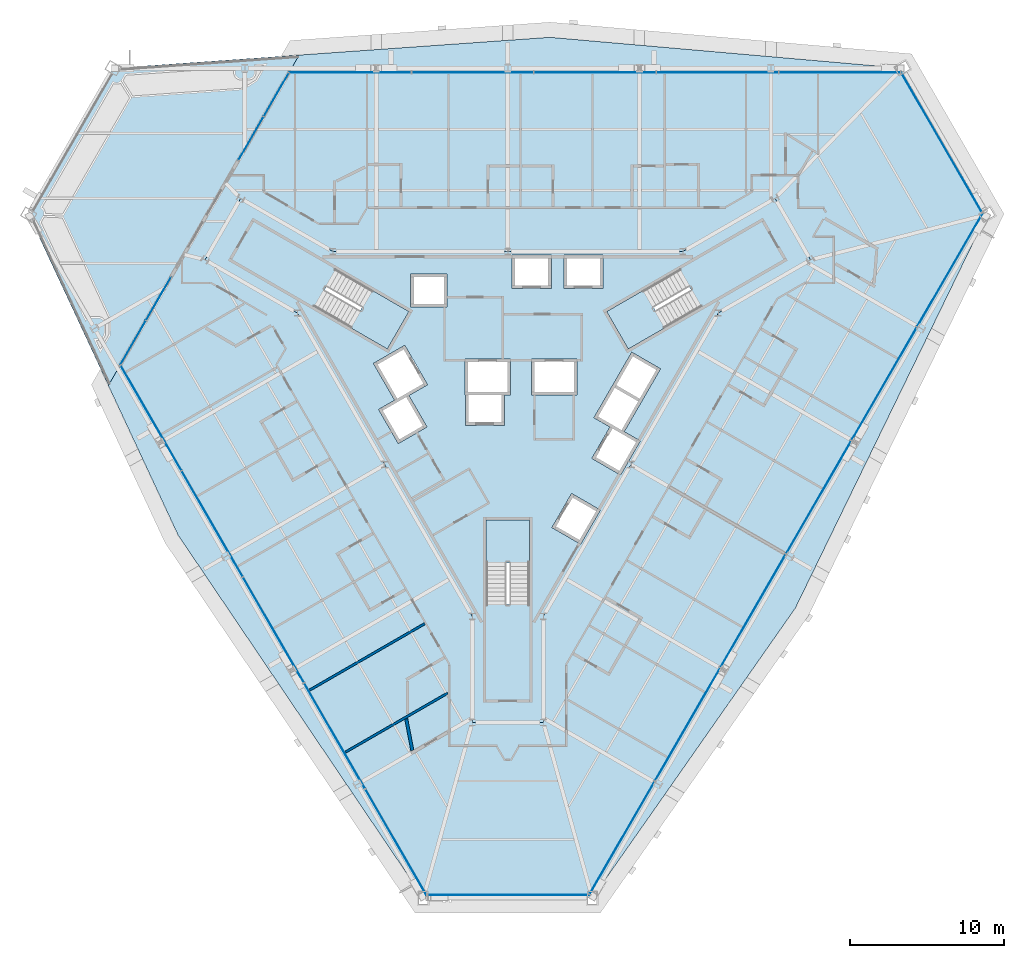
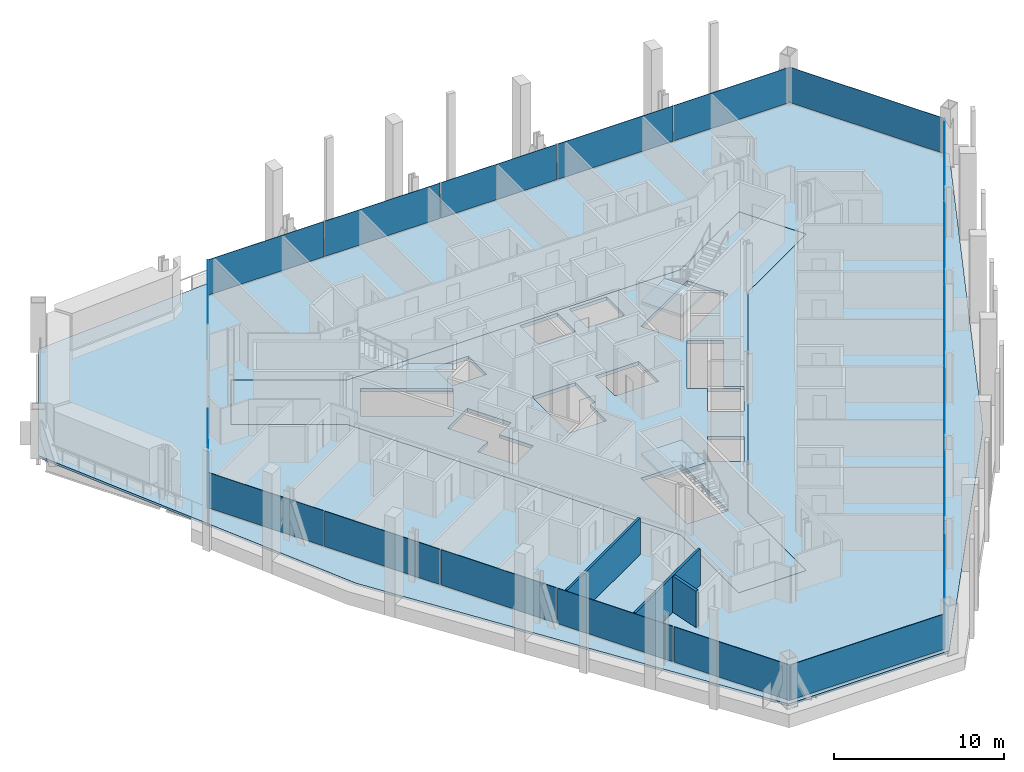
# One storey, part 10 of 19: 22 plates, 6 slabs, 3 walls, 10 elements without a shape of their own.
"""IFC4 building model written with IfcOpenShell, lengths in metres."""

from ifc_helpers import new_model, si_unit, direction, frame, frame_2d, origin, origin_2d, place, context, subcontext, project, spatial, polyline, rectangle, outline, extrude, material, layer, layer_set, type_object, element, aggregate, save


model = new_model("IFC4")

# Units and contexts
model_context = context("Model", 3, precision=1e-05, world=origin(), true_north=direction((0.0, 1.0)))
body_context = subcontext(model_context, "Body", "Model", "MODEL_VIEW")
ifc_project = project(units=[si_unit("LENGTHUNIT", "METRE"), si_unit("AREAUNIT", "SQUARE_METRE"), si_unit("VOLUMEUNIT", "CUBIC_METRE"), si_unit("PLANEANGLEUNIT", "RADIAN"), si_unit("MASSUNIT", "GRAM", prefix="KILO")], contexts=[model_context])

# Site, building, storey
site_placement = place(None, origin())
site = spatial("IfcSite", under=ifc_project, at=site_placement, CompositionType="ELEMENT")
building_placement = place(site_placement, origin())
building = spatial("IfcBuilding", under=site, at=building_placement, Name="Verrane Prism Tower", CompositionType="ELEMENT")
storey_placement = place(building_placement, frame((0.0, 0.0, 58.39990234375)))
storey = spatial("IfcBuildingStorey", under=building, at=storey_placement, Name="L12", CompositionType="ELEMENT", Elevation=58.39990234375)

# Slabs
ifc_material_1 = material(Name="Concrete C35/45", Category="concrete")
ifc_layer_1 = layer(ifc_material_1, 0.159912109375)
ifc_layer_set_1 = layer_set([ifc_layer_1], Name="Composite floor slab")
slab_type_1 = type_object("IfcSlabType", Name="Composite floor slab", PredefinedType="FLOOR", material=ifc_layer_set_1)
slab_1_placement = place(storey_placement, frame((0.0, 0.0, -0.159912109375)))
element("IfcSlab", 1, at=slab_1_placement, inside=storey, type_object=slab_type_1, Name="Floor slab L12", PredefinedType="FLOOR", context=body_context, shape_type="SweptSolid", body=[
    extrude(outline(polyline([(2.72509765625, 23.070068359375), (25.54833984375, 21.070068359375), (31.021240234375, 11.590576171875), (18.61669921875, -13.89501953125), (5.472900390625, -32.660400390625), (-5.472900390625, -32.660400390625), (-21.341796875, -9.1748046875), (-25.863037109375, 0.524658203125), (-13.509765625, 21.921630859375), (2.72509765625, 23.070068359375)]), holes=[polyline([(19.60009765625, 8.659912109375), (17.300048828125, 12.639892578125), (11.330078125, 9.199951171875), (0.0, 9.199951171875), (-11.330078125, 9.199951171875), (-17.300048828125, 12.639892578125), (-19.60009765625, 8.659912109375), (-13.6298828125, 5.219970703125), (-7.969970703125, -4.60009765625), (-2.300048828125, -14.419921875), (-2.300048828125, -21.300048828125), (2.300048828125, -21.300048828125), (2.300048828125, -14.419921875), (7.969970703125, -4.60009765625), (13.6298828125, 5.219970703125), (19.60009765625, 8.659912109375)])]), origin(), (0.0, 0.0, 1.0), 0.159912109375),
])
ifc_material_2 = material(Name="Concrete C40/50", Category="concrete")
ifc_layer_2 = layer(ifc_material_2, 0.25)
ifc_layer_set_2 = layer_set([ifc_layer_2], Name="Core floor slab 250 concrete C40/50")
slab_type_2 = type_object("IfcSlabType", Name="Core floor slab 250 concrete C40/50", PredefinedType="FLOOR", material=ifc_layer_set_2)
slab_2_placement = place(storey_placement, frame((0.0, 0.0, -0.25)))
element("IfcSlab", 2, at=slab_2_placement, inside=storey, type_object=slab_type_2, Name="Core floor L12", PredefinedType="FLOOR", context=body_context, shape_type="SweptSolid", body=[
    extrude(outline(polyline([(13.6298828125, 5.219970703125), (19.60009765625, 8.659912109375), (17.300048828125, 12.639892578125), (11.330078125, 9.199951171875), (0.0, 9.199951171875), (-11.330078125, 9.199951171875), (-17.300048828125, 12.639892578125), (-19.60009765625, 8.659912109375), (-13.6298828125, 5.219970703125), (-7.969970703125, -4.60009765625), (-2.300048828125, -14.419921875), (-2.300048828125, -21.300048828125), (2.300048828125, -21.300048828125), (2.300048828125, -14.419921875), (7.969970703125, -4.60009765625), (13.6298828125, 5.219970703125)]), holes=[polyline([(1.39990234375, -8.199951171875), (1.39990234375, -13.639892578125), (-1.39990234375, -13.639892578125), (-1.39990234375, -8.199951171875), (1.39990234375, -8.199951171875)]), polyline([(0.1650390625, 2.25), (0.1650390625, -0.10009765625), (-0.205078125, -0.10009765625), (-0.205078125, -2.050048828125), (-2.7548828125, -2.050048828125), (-2.7548828125, -0.10009765625), (-2.784912109375, -0.10009765625), (-2.784912109375, 2.25), (0.1650390625, 2.25)]), polyline([(-7.801025390625, 2.887939453125), (-12.512939453125, 5.60791015625), (-11.113037109375, 8.031982421875), (-6.40087890625, 5.31201171875), (-7.801025390625, 2.887939453125)]), polyline([(-6.284912109375, 5.610107421875), (-6.284912109375, 7.760009765625), (-3.93505859375, 7.760009765625), (-3.93505859375, 5.610107421875), (-6.284912109375, 5.610107421875)]), polyline([(2.81494140625, 6.81005859375), (0.264892578125, 6.81005859375), (0.264892578125, 8.9599609375), (2.81494140625, 8.9599609375), (2.81494140625, 6.81005859375)]), polyline([(4.717041015625, -9.75), (2.85498046875, -8.675048828125), (4.1298828125, -6.466064453125), (5.991943359375, -7.541015625), (4.717041015625, -9.75)]), polyline([(8.303955078125, -3.136962890625), (5.575927734375, -1.56201171875), (8.02587890625, 2.680908203125), (9.887939453125, 1.60595703125), (7.5380859375, -2.464111328125), (8.576904296875, -3.06396484375), (7.302001953125, -5.27197265625), (5.43994140625, -4.197021484375), (6.614990234375, -2.162109375), (8.303955078125, -3.136962890625)]), polyline([(1.52490234375, -0.10009765625), (1.52490234375, 2.25), (4.47509765625, 2.25), (4.47509765625, -0.10009765625), (1.52490234375, -0.10009765625)]), polyline([(11.113037109375, 8.031982421875), (12.512939453125, 5.60791015625), (7.801025390625, 2.887939453125), (6.40087890625, 5.31201171875), (11.113037109375, 8.031982421875)]), polyline([(3.625, 6.81005859375), (3.625, 8.9599609375), (6.175048828125, 8.9599609375), (6.175048828125, 6.81005859375), (3.625, 6.81005859375)]), polyline([(-5.23095703125, -2.159912109375), (-7.093017578125, -3.235107421875), (-8.367919921875, -1.02587890625), (-7.3291015625, -0.426025390625), (-8.7041015625, 1.955078125), (-6.66796875, 3.1298828125), (-5.193115234375, 0.574951171875), (-6.406005859375, -0.125), (-5.23095703125, -2.159912109375)])]), origin(), (0.0, 0.0, 1.0), 0.25),
])
ifc_material_3 = material(Name="Concrete C35/45", Category="concrete")
ifc_layer_3 = layer(ifc_material_3, 0.159912109375)
ifc_layer_set_3 = layer_set([ifc_layer_3], Name="Garden floor slab")
slab_type_3 = type_object("IfcSlabType", Name="Garden floor slab", PredefinedType="FLOOR", material=ifc_layer_set_3)
slab_3_placement = place(storey_placement, frame((0.0, 0.0, -0.159912109375)))
element("IfcSlab", 3, at=slab_3_placement, inside=storey, type_object=slab_type_3, Name="Garden floor slab L12", PredefinedType="FLOOR", context=body_context, shape_type="SweptSolid", body=[
    extrude(outline(polyline([(-25.863037109375, 0.524658203125), (-13.509765625, 21.921630859375), (-25.54833984375, 21.070068359375), (-31.021240234375, 11.590576171875), (-25.863037109375, 0.524658203125)])), origin(), (0.0, 0.0, 1.0), 0.159912109375),
])

# Curtain wall, plates
ifc_material_4 = material(Name="Aluminium framed insulated glazing", Category="aluminium")
curtain_wall_type_1 = type_object("IfcCurtainWallType", Name="Curtain wall CW-C 4200 module", PredefinedType="NOTDEFINED", material=ifc_material_4)
curtain_wall_1_placement = place(storey_placement, origin())
curtain_wall_1 = element("IfcCurtainWall", 4, at=curtain_wall_1_placement, inside=storey, type_object=curtain_wall_type_1, Name="Glazed curtain wall garden cut line L12 1", PredefinedType="NOTDEFINED")
ifc_material_5 = material(Name="Low-iron insulating glass unit", Category="glass")
ifc_layer_4 = layer(ifc_material_5, 0.02392578125)
ifc_layer_set_4 = layer_set([ifc_layer_4], Name="Glazing panel IGU 24")
plate_type_1 = type_object("IfcPlateType", Name="Glazing panel IGU 24", PredefinedType="CURTAIN_PANEL", material=ifc_layer_set_4)
plate_1_placement = place(storey_placement, frame((-14.992919921875, 19.3525390625, 0.050048828125), z_axis=(0.0, 0.0, 1.0), x_axis=(-0.500001176868, -0.866024724318, 0.0)))
plate_1 = element("IfcPlate", 5, at=plate_1_placement, type_object=plate_type_1, Name="CW12.3.1 panel 1", PredefinedType="CURTAIN_PANEL", context=body_context, shape_type="SweptSolid", body=[
    extrude(rectangle(XDim=3.22216796875, YDim=0.02392578125, at=origin_2d()), origin(), (0.0, 0.0, 1.0), 2.56298828125),
])
plate_2_placement = place(storey_placement, frame((-16.629150390625, 16.5185546875, 0.050048828125), z_axis=(0.0, 0.0, 1.0), x_axis=(-0.500001176868, -0.866024724318, 0.0)))
plate_2 = element("IfcPlate", 6, at=plate_2_placement, type_object=plate_type_1, Name="CW12.3.1 panel 2", PredefinedType="CURTAIN_PANEL", context=body_context, shape_type="SweptSolid", body=[
    extrude(rectangle(XDim=3.22216796875, YDim=0.02392578125, at=origin_2d()), origin(), (0.0, 0.0, 1.0), 2.56298828125),
])
aggregate(curtain_wall_1, [plate_1, plate_2])

curtain_wall_2_placement = place(storey_placement, origin())
curtain_wall_2 = element("IfcCurtainWall", 7, at=curtain_wall_2_placement, inside=storey, type_object=curtain_wall_type_1, Name="Glazed curtain wall garden cut line L12 2", PredefinedType="NOTDEFINED")
plate_3_placement = place(storey_placement, frame((-22.6201171875, 6.141845703125, 0.050048828125), z_axis=(0.0, 0.0, 1.0), x_axis=(-0.500001176868, -0.866024724318, 0.0)))
plate_3 = element("IfcPlate", 8, at=plate_3_placement, type_object=plate_type_1, Name="CW12.3.2 panel 1", PredefinedType="CURTAIN_PANEL", context=body_context, shape_type="SweptSolid", body=[
    extrude(rectangle(XDim=3.22216796875, YDim=0.02392578125, at=origin_2d()), origin(), (0.0, 0.0, 1.0), 2.56298828125),
])
plate_4_placement = place(storey_placement, frame((-24.2685546875, 3.286376953125, 0.050048828125), z_axis=(0.0, 0.0, 1.0), x_axis=(-0.500001176868, -0.866024724318, 0.0)))
plate_4 = element("IfcPlate", 9, at=plate_4_placement, type_object=plate_type_1, Name="CW12.3.2 panel 2", PredefinedType="CURTAIN_PANEL", context=body_context, shape_type="SweptSolid", body=[
    extrude(rectangle(XDim=3.272216796875, YDim=0.02392578125, at=origin_2d()), origin(), (0.0, 0.0, 1.0), 2.56298828125),
])
aggregate(curtain_wall_2, [plate_3, plate_4])

# Curtain wall, plate
ifc_material_6 = material(Name="Aluminium framed insulated glazing", Category="aluminium")
curtain_wall_type_2 = type_object("IfcCurtainWallType", Name="Curtain wall CW-A 8400 module", PredefinedType="NOTDEFINED", material=ifc_material_6)
curtain_wall_3_placement = place(storey_placement, origin())
curtain_wall_3 = element("IfcCurtainWall", 10, at=curtain_wall_3_placement, inside=storey, type_object=curtain_wall_type_2, Name="Glazed curtain wall north-east corner L12", PredefinedType="NOTDEFINED")
ifc_material_7 = material(Name="Low-iron insulating glass unit", Category="glass")
ifc_layer_5 = layer(ifc_material_7, 0.031982421875)
ifc_layer_set_5 = layer_set([ifc_layer_5], Name="Glazing panel IGU 32")
plate_type_2 = type_object("IfcPlateType", Name="Glazing panel IGU 32", PredefinedType="CURTAIN_PANEL", material=ifc_layer_set_5)
plate_5_placement = place(storey_placement, frame((28.091552734375, 16.25927734375, 0.070068359375), z_axis=(0.0, 0.0, 1.0), x_axis=(-0.499998785495, 0.866026104978, 0.0)))
plate_5 = element("IfcPlate", 11, at=plate_5_placement, type_object=plate_type_2, Name="CW12.1 panel 1", PredefinedType="CURTAIN_PANEL", context=body_context, shape_type="SweptSolid", body=[
    extrude(rectangle(XDim=10.4658203125, YDim=0.031982421875, at=origin_2d()), origin(), (0.0, 0.0, 1.0), 2.54296875),
])
aggregate(curtain_wall_3, [plate_5])

# Curtain wall, plates
curtain_wall_4_placement = place(storey_placement, origin())
curtain_wall_4 = element("IfcCurtainWall", 12, at=curtain_wall_4_placement, inside=storey, type_object=curtain_wall_type_2, Name="Glazed curtain wall north face L12", PredefinedType="NOTDEFINED")
plate_6_placement = place(storey_placement, frame((21.493896484375, 20.791015625, 0.070068359375), z_axis=(0.0, 0.0, 1.0), x_axis=(-1.0, 0.0, 0.0)))
plate_6 = element("IfcPlate", 13, at=plate_6_placement, type_object=plate_type_2, Name="CW12.2 panel 1", PredefinedType="CURTAIN_PANEL", context=body_context, shape_type="SweptSolid", body=[
    extrude(rectangle(XDim=7.822509765625, YDim=0.031982421875, at=origin_2d()), origin(), (0.0, 0.0, 1.0), 2.54296875),
])
plate_7_placement = place(storey_placement, frame((13.583984375, 20.791015625, 0.070068359375), z_axis=(0.0, 0.0, 1.0), x_axis=(-1.0, 0.0, 0.0)))
plate_7 = element("IfcPlate", 14, at=plate_7_placement, type_object=plate_type_2, Name="CW12.2 panel 2", PredefinedType="CURTAIN_PANEL", context=body_context, shape_type="SweptSolid", body=[
    extrude(rectangle(XDim=7.857421875, YDim=0.031982421875, at=origin_2d()), origin(), (0.0, 0.0, 1.0), 2.54296875),
])
plate_8_placement = place(storey_placement, frame((5.656494140625, 20.791015625, 0.070068359375), z_axis=(0.0, 0.0, 1.0), x_axis=(-1.0, 0.0, 0.0)))
plate_8 = element("IfcPlate", 15, at=plate_8_placement, type_object=plate_type_2, Name="CW12.2 panel 3", PredefinedType="CURTAIN_PANEL", context=body_context, shape_type="SweptSolid", body=[
    extrude(rectangle(XDim=7.857421875, YDim=0.031982421875, at=origin_2d()), origin(), (0.0, 0.0, 1.0), 2.54296875),
])
plate_9_placement = place(storey_placement, frame((-2.271240234375, 20.791015625, 0.070068359375), z_axis=(0.0, 0.0, 1.0), x_axis=(-1.0, 0.0, 0.0)))
plate_9 = element("IfcPlate", 16, at=plate_9_placement, type_object=plate_type_2, Name="CW12.2 panel 4", PredefinedType="CURTAIN_PANEL", context=body_context, shape_type="SweptSolid", body=[
    extrude(rectangle(XDim=7.857421875, YDim=0.031982421875, at=origin_2d()), origin(), (0.0, 0.0, 1.0), 2.54296875),
])
plate_10_placement = place(storey_placement, frame((-10.216064453125, 20.791015625, 0.070068359375), z_axis=(0.0, 0.0, 1.0), x_axis=(-1.0, 0.0, 0.0)))
plate_10 = element("IfcPlate", 17, at=plate_10_placement, type_object=plate_type_2, Name="CW12.2 panel 5", PredefinedType="CURTAIN_PANEL", context=body_context, shape_type="SweptSolid", body=[
    extrude(rectangle(XDim=7.892578125, YDim=0.031982421875, at=origin_2d()), origin(), (0.0, 0.0, 1.0), 2.54296875),
])
aggregate(curtain_wall_4, [plate_6, plate_7, plate_8, plate_9, plate_10])

curtain_wall_5_placement = place(storey_placement, origin())
curtain_wall_5 = element("IfcCurtainWall", 18, at=curtain_wall_5_placement, inside=storey, type_object=curtain_wall_type_2, Name="Glazed curtain wall south-west face L12", PredefinedType="NOTDEFINED")
plate_11_placement = place(storey_placement, frame((-23.09619140625, -1.578369140625, 0.070068359375), z_axis=(0.0, 0.0, 1.0), x_axis=(0.499999656376, -0.866025602176, 0.0)))
plate_11 = element("IfcPlate", 19, at=plate_11_placement, type_object=plate_type_2, Name="CW12.4 panel 1", PredefinedType="CURTAIN_PANEL", context=body_context, shape_type="SweptSolid", body=[
    extrude(rectangle(XDim=7.822509765625, YDim=0.031982421875, at=origin_2d()), origin(), (0.0, 0.0, 1.0), 2.54296875),
])
plate_12_placement = place(storey_placement, frame((-19.14111328125, -8.4287109375, 0.070068359375), z_axis=(0.0, 0.0, 1.0), x_axis=(0.499999656376, -0.866025602176, 0.0)))
plate_12 = element("IfcPlate", 20, at=plate_12_placement, type_object=plate_type_2, Name="CW12.4 panel 2", PredefinedType="CURTAIN_PANEL", context=body_context, shape_type="SweptSolid", body=[
    extrude(rectangle(XDim=7.857421875, YDim=0.031982421875, at=origin_2d()), origin(), (0.0, 0.0, 1.0), 2.54296875),
])
plate_13_placement = place(storey_placement, frame((-15.17724609375, -15.294189453125, 0.070068359375), z_axis=(0.0, 0.0, 1.0), x_axis=(0.499999656376, -0.866025602176, 0.0)))
plate_13 = element("IfcPlate", 21, at=plate_13_placement, type_object=plate_type_2, Name="CW12.4 panel 3", PredefinedType="CURTAIN_PANEL", context=body_context, shape_type="SweptSolid", body=[
    extrude(rectangle(XDim=7.857421875, YDim=0.031982421875, at=origin_2d()), origin(), (0.0, 0.0, 1.0), 2.54296875),
])
plate_14_placement = place(storey_placement, frame((-11.213623046875, -22.159423828125, 0.070068359375), z_axis=(0.0, 0.0, 1.0), x_axis=(0.499999656376, -0.866025602176, 0.0)))
plate_14 = element("IfcPlate", 22, at=plate_14_placement, type_object=plate_type_2, Name="CW12.4 panel 4", PredefinedType="CURTAIN_PANEL", context=body_context, shape_type="SweptSolid", body=[
    extrude(rectangle(XDim=7.857421875, YDim=0.031982421875, at=origin_2d()), origin(), (0.0, 0.0, 1.0), 2.54296875),
])
plate_15_placement = place(storey_placement, frame((-7.240966796875, -29.0400390625, 0.070068359375), z_axis=(0.0, 0.0, 1.0), x_axis=(0.499999656376, -0.866025602176, 0.0)))
plate_15 = element("IfcPlate", 23, at=plate_15_placement, type_object=plate_type_2, Name="CW12.4 panel 5", PredefinedType="CURTAIN_PANEL", context=body_context, shape_type="SweptSolid", body=[
    extrude(rectangle(XDim=7.892578125, YDim=0.031982421875, at=origin_2d()), origin(), (0.0, 0.0, 1.0), 2.54296875),
])
aggregate(curtain_wall_5, [plate_11, plate_12, plate_13, plate_14, plate_15])

# Curtain wall, plate
curtain_wall_6_placement = place(storey_placement, origin())
curtain_wall_6 = element("IfcCurtainWall", 24, at=curtain_wall_6_placement, inside=storey, type_object=curtain_wall_type_2, Name="Glazed curtain wall south corner L12", PredefinedType="NOTDEFINED")
plate_16_placement = place(storey_placement, frame((0.034912109375, -32.457763671875, 0.070068359375), z_axis=(0.0, 0.0, 1.0), x_axis=(1.0, 0.0, 0.0)))
plate_16 = element("IfcPlate", 25, at=plate_16_placement, type_object=plate_type_2, Name="CW12.5 panel 1", PredefinedType="CURTAIN_PANEL", context=body_context, shape_type="SweptSolid", body=[
    extrude(rectangle(XDim=10.4658203125, YDim=0.031982421875, at=origin_2d()), origin(), (0.0, 0.0, 1.0), 2.54296875),
])
aggregate(curtain_wall_6, [plate_16])

# Curtain wall, plates
curtain_wall_7_placement = place(storey_placement, origin())
curtain_wall_7 = element("IfcCurtainWall", 26, at=curtain_wall_7_placement, inside=storey, type_object=curtain_wall_type_2, Name="Glazed curtain wall south-east face L12", PredefinedType="NOTDEFINED")
plate_17_placement = place(storey_placement, frame((7.399658203125, -28.765625, 0.070068359375), z_axis=(0.0, 0.0, 1.0), x_axis=(0.499999496308, 0.866025694591, 0.0)))
plate_17 = element("IfcPlate", 27, at=plate_17_placement, type_object=plate_type_2, Name="CW12.6 panel 1", PredefinedType="CURTAIN_PANEL", context=body_context, shape_type="SweptSolid", body=[
    extrude(rectangle(XDim=8.38671875, YDim=0.031982421875, at=origin_2d()), origin(), (0.0, 0.0, 1.0), 2.54296875),
])
plate_18_placement = place(storey_placement, frame((11.63671875, -21.426513671875, 0.070068359375), z_axis=(0.0, 0.0, 1.0), x_axis=(0.499999496308, 0.866025694591, 0.0)))
plate_18 = element("IfcPlate", 28, at=plate_18_placement, type_object=plate_type_2, Name="CW12.6 panel 2", PredefinedType="CURTAIN_PANEL", context=body_context, shape_type="SweptSolid", body=[
    extrude(rectangle(XDim=8.421630859375, YDim=0.031982421875, at=origin_2d()), origin(), (0.0, 0.0, 1.0), 2.54296875),
])
plate_19_placement = place(storey_placement, frame((15.882568359375, -14.072509765625, 0.070068359375), z_axis=(0.0, 0.0, 1.0), x_axis=(0.499999496308, 0.866025694591, 0.0)))
plate_19 = element("IfcPlate", 29, at=plate_19_placement, type_object=plate_type_2, Name="CW12.6 panel 3", PredefinedType="CURTAIN_PANEL", context=body_context, shape_type="SweptSolid", body=[
    extrude(rectangle(XDim=8.421630859375, YDim=0.031982421875, at=origin_2d()), origin(), (0.0, 0.0, 1.0), 2.54296875),
])
plate_20_placement = place(storey_placement, frame((20.12841796875, -6.718505859375, 0.070068359375), z_axis=(0.0, 0.0, 1.0), x_axis=(0.499999496308, 0.866025694591, 0.0)))
plate_20 = element("IfcPlate", 30, at=plate_20_placement, type_object=plate_type_2, Name="CW12.6 panel 4", PredefinedType="CURTAIN_PANEL", context=body_context, shape_type="SweptSolid", body=[
    extrude(rectangle(XDim=8.421630859375, YDim=0.031982421875, at=origin_2d()), origin(), (0.0, 0.0, 1.0), 2.54296875),
])
plate_21_placement = place(storey_placement, frame((24.374267578125, 0.635498046875, 0.070068359375), z_axis=(0.0, 0.0, 1.0), x_axis=(0.499999496308, 0.866025694591, 0.0)))
plate_21 = element("IfcPlate", 31, at=plate_21_placement, type_object=plate_type_2, Name="CW12.6 panel 5", PredefinedType="CURTAIN_PANEL", context=body_context, shape_type="SweptSolid", body=[
    extrude(rectangle(XDim=8.421630859375, YDim=0.031982421875, at=origin_2d()), origin(), (0.0, 0.0, 1.0), 2.54296875),
])
plate_22_placement = place(storey_placement, frame((28.62890625, 8.0048828125, 0.070068359375), z_axis=(0.0, 0.0, 1.0), x_axis=(0.499999496308, 0.866025694591, 0.0)))
plate_22 = element("IfcPlate", 32, at=plate_22_placement, type_object=plate_type_2, Name="CW12.6 panel 6", PredefinedType="CURTAIN_PANEL", context=body_context, shape_type="SweptSolid", body=[
    extrude(rectangle(XDim=8.456787109375, YDim=0.031982421875, at=origin_2d()), origin(), (0.0, 0.0, 1.0), 2.54296875),
])
aggregate(curtain_wall_7, [plate_17, plate_18, plate_19, plate_20, plate_21, plate_22])

# Stair, slab
ifc_material_8 = material(Name="Concrete C40/50", Category="concrete")
stair_type = type_object("IfcStairType", Name="Exit stair 1300 dog-leg precast concrete C40/50", PredefinedType="HALF_TURN_STAIR", material=ifc_material_8)
stair_1_placement = place(storey_placement, origin())
stair_1 = element("IfcStair", 33, at=stair_1_placement, inside=storey, type_object=stair_type, Name="Stair 1 L12", PredefinedType="HALF_TURN_STAIR")
ifc_material_9 = material(Name="Concrete C40/50", Category="concrete")
ifc_layer_6 = layer(ifc_material_9, 0.199951171875)
ifc_layer_set_6 = layer_set([ifc_layer_6], Name="Stair landing 200 precast concrete C40/50")
slab_type_4 = type_object("IfcSlabType", Name="Stair landing 200 precast concrete C40/50", PredefinedType="LANDING", material=ifc_layer_set_6)
slab_4_placement = place(storey_placement, frame((0.0, 0.0, 1.60009765625)))
slab_4 = element("IfcSlab", 34, at=slab_4_placement, type_object=slab_type_4, Name="Stair 1 landing 1", PredefinedType="LANDING", context=body_context, shape_type="SweptSolid", body=[
    extrude(outline(polyline([(8.791748046875, 6.6923828125), (6.4013671875, 5.3125), (7.801513671875, 2.887451171875), (10.191650390625, 4.267578125), (8.791748046875, 6.6923828125)])), origin(), (0.0, 0.0, 1.0), 0.199951171875),
])
aggregate(stair_1, [slab_4])

stair_2_placement = place(storey_placement, origin())
stair_2 = element("IfcStair", 35, at=stair_2_placement, inside=storey, type_object=stair_type, Name="Stair 2 L12", PredefinedType="HALF_TURN_STAIR")
slab_5_placement = place(storey_placement, frame((0.0, 0.0, 1.60009765625)))
slab_5 = element("IfcSlab", 36, at=slab_5_placement, type_object=slab_type_4, Name="Stair 2 landing 1", PredefinedType="LANDING", context=body_context, shape_type="SweptSolid", body=[
    extrude(outline(polyline([(-10.191650390625, 4.267578125), (-7.801513671875, 2.887451171875), (-6.4013671875, 5.3125), (-8.791748046875, 6.6923828125), (-10.191650390625, 4.267578125)])), origin(), (0.0, 0.0, 1.0), 0.199951171875),
])
aggregate(stair_2, [slab_5])

stair_3_placement = place(storey_placement, origin())
stair_3 = element("IfcStair", 37, at=stair_3_placement, inside=storey, type_object=stair_type, Name="Stair 3 L12", PredefinedType="HALF_TURN_STAIR")
slab_6_placement = place(storey_placement, frame((0.0, 0.0, 1.60009765625)))
slab_6 = element("IfcSlab", 38, at=slab_6_placement, type_object=slab_type_4, Name="Stair 3 landing 1", PredefinedType="LANDING", context=body_context, shape_type="SweptSolid", body=[
    extrude(outline(polyline([(1.39990234375, -10.9599609375), (1.39990234375, -8.199951171875), (-1.39990234375, -8.199951171875), (-1.39990234375, -10.9599609375), (1.39990234375, -10.9599609375)])), origin(), (0.0, 0.0, 1.0), 0.199951171875),
])
aggregate(stair_3, [slab_6])

# Walls
ifc_material_10 = material(Name="Gypsum board partition", Category="other")
ifc_layer_7 = layer(ifc_material_10, 0.14990234375)
ifc_layer_set_7 = layer_set([ifc_layer_7], Name="PW-150 demising wall 1 h")
wall_type_1 = type_object("IfcWallType", Name="PW-150 demising wall 1 h", PredefinedType="PARTITIONING", material=ifc_layer_set_7)
wall_1_placement = place(storey_placement, frame((-12.81640625, -19.190673828125, 0.0), z_axis=(0.0, 0.0, 1.0), x_axis=(0.866034625887, 0.499984026509, 0.0)))
element("IfcWall", 39, at=wall_1_placement, inside=storey, type_object=wall_type_1, Name="Demising wall 022", PredefinedType="PARTITIONING", context=body_context, shape_type="SweptSolid", body=[
    extrude(rectangle(XDim=8.591064453125, YDim=0.14990234375, at=frame_2d((4.29541015625, 0.0))), origin(), (0.0, 0.0, 1.0), 2.613037109375),
])
wall_2_placement = place(storey_placement, frame((-10.498046875, -23.206298828125, 0.0), z_axis=(0.0, 0.0, 1.0), x_axis=(0.866003165052, 0.500038516636, 0.0)))
element("IfcWall", 40, at=wall_2_placement, inside=storey, type_object=wall_type_1, Name="Demising wall 028", PredefinedType="PARTITIONING", context=body_context, shape_type="SweptSolid", body=[
    extrude(rectangle(XDim=7.62255859375, YDim=0.14990234375, at=frame_2d((3.811279296875, 0.0))), origin(), (0.0, 0.0, 1.0), 2.613037109375),
])
ifc_material_11 = material(Name="Gypsum board partition", Category="other")
ifc_layer_8 = layer(ifc_material_11, 0.199951171875)
ifc_layer_set_8 = layer_set([ifc_layer_8], Name="PW-200 plumbing wall")
wall_type_2 = type_object("IfcWallType", Name="PW-200 plumbing wall", PredefinedType="PARTITIONING", material=ifc_layer_set_8)
wall_3_placement = place(storey_placement, frame((-6.575439453125, -21.06591796875, 0.0), z_axis=(0.0, 0.0, 1.0), x_axis=(0.189476305735, -0.981885293486, 0.0)))
element("IfcWall", 41, at=wall_3_placement, inside=storey, type_object=wall_type_2, Name="Plumbing wall 036", PredefinedType="PARTITIONING", context=body_context, shape_type="SweptSolid", body=[
    extrude(rectangle(XDim=2.0732421875, YDim=0.199951171875, at=frame_2d((1.03662109375, 0.0))), origin(), (0.0, 0.0, 1.0), 2.613037109375),
])

save(model, "model.ifc")
